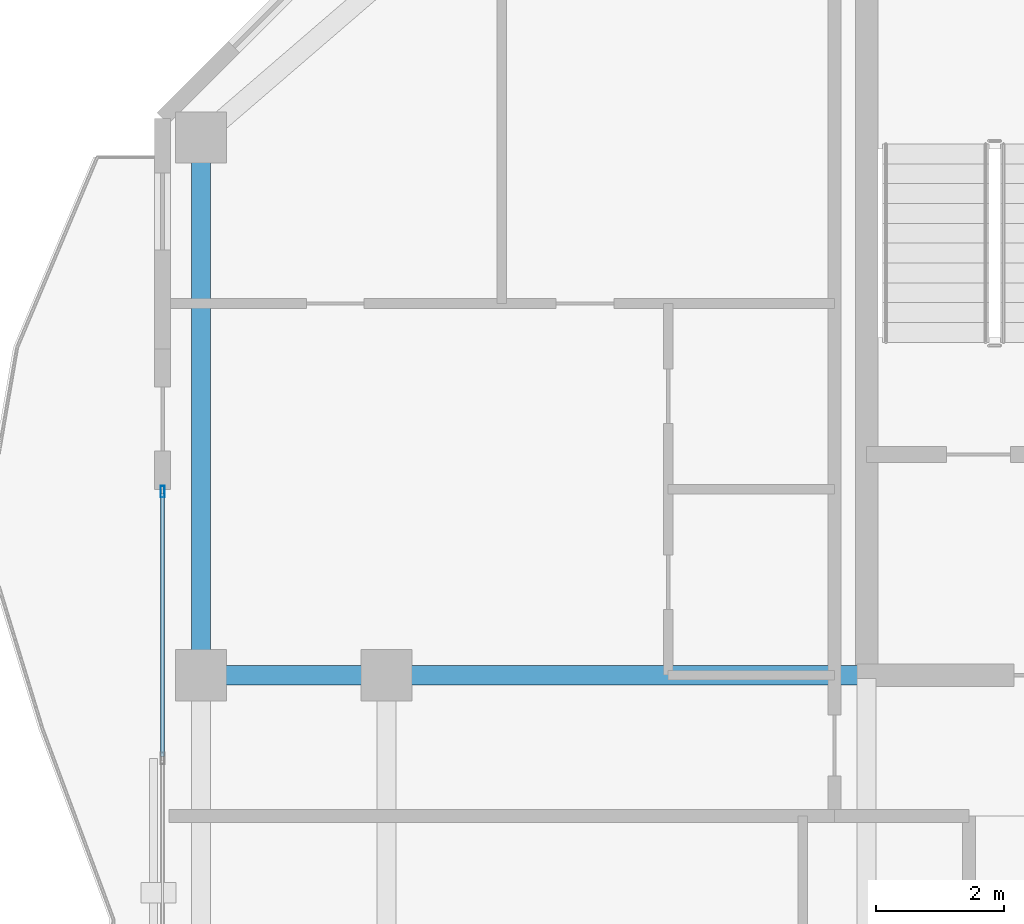
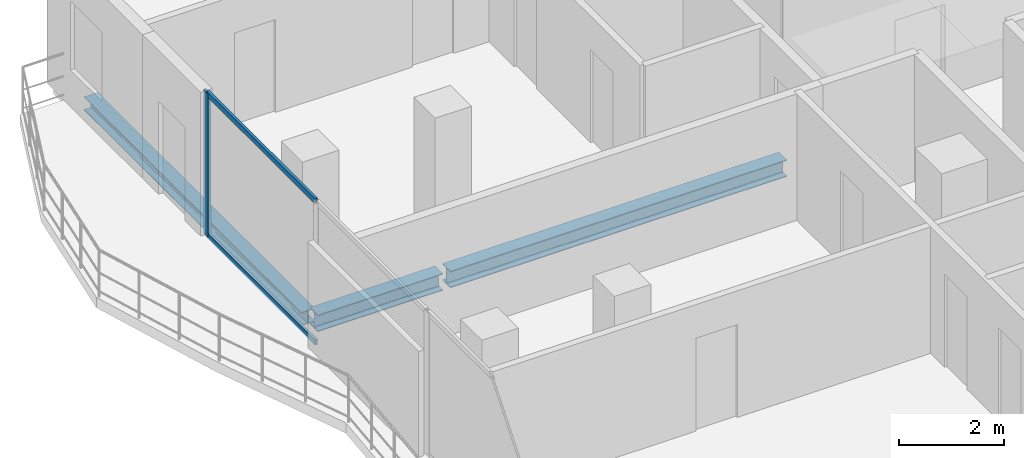
# One storey, part 9 of 24: 3 beams, 3 members, 1 element without a shape of its own.
"""IFC4 building model written with IfcOpenShell, lengths in metres."""

from ifc_helpers import new_model, si_unit, direction, frame, origin, origin_2d, place, context, subcontext, project, spatial, hollow_rectangle, i_section, extrude, material, layer, layer_set, material_profile, profile_set, type_object, element, aggregate, save


model = new_model("IFC4")

# Units and contexts
model_context = context("Model", 3, precision=1e-05, world=origin(), true_north=direction((0.0, 1.0)))
body_context = subcontext(model_context, "Body", "Model", "MODEL_VIEW")
ifc_project = project(units=[si_unit("LENGTHUNIT", "METRE"), si_unit("AREAUNIT", "SQUARE_METRE"), si_unit("VOLUMEUNIT", "CUBIC_METRE"), si_unit("PLANEANGLEUNIT", "RADIAN"), si_unit("MASSUNIT", "GRAM", prefix="KILO")], contexts=[model_context])

# Site, building, storey
site_placement = place(None, origin())
site = spatial("IfcSite", under=ifc_project, at=site_placement, CompositionType="ELEMENT")
building_placement = place(site_placement, origin())
building = spatial("IfcBuilding", under=site, at=building_placement, Name="Catumbela Crestline Tower", CompositionType="ELEMENT")
storey_placement = place(building_placement, frame((0.0, 0.0, 161.4)))
storey = spatial("IfcBuildingStorey", under=building, at=storey_placement, Name="L41", CompositionType="ELEMENT", Elevation=161.4)

# Beams
ifc_material_1 = material(Name="Structural steel S355J2", Category="steel")
ifc_material_profile_1 = material_profile(ifc_material_1, i_section(OverallWidth=0.3, OverallDepth=0.39, WebThickness=0.011, FlangeThickness=0.019, FilletRadius=0.027, at=origin_2d()), Name="HEA 400")
ifc_profile_set_1 = profile_set([ifc_material_profile_1], Name="Structural steel S355J2")
beam_type_1 = type_object("IfcBeamType", Name="BG-HEA400", PredefinedType="BEAM", material=ifc_profile_set_1)
beam_1_placement = place(storey_placement, frame((5.68, 30.8, -0.455), z_axis=(1.0, 0.0, 0.0), x_axis=(0.0, 1.0, 0.0)))
element("IfcBeam", 1, at=beam_1_placement, inside=storey, type_object=beam_type_1, Name="L41 Beam BM-L41-M06", PredefinedType="BEAM", context=body_context, shape_type="SweptSolid", body=[
    extrude(i_section(OverallWidth=0.3, OverallDepth=0.39, WebThickness=0.011, FlangeThickness=0.019, FilletRadius=0.027, at=origin_2d()), origin(), (0.0, 0.0, 1.0), 2.74),
])
beam_2_placement = place(storey_placement, frame((8.58, 30.8, -0.455), z_axis=(1.0, 0.0, 0.0), x_axis=(0.0, 1.0, 0.0)))
element("IfcBeam", 2, at=beam_2_placement, inside=storey, type_object=beam_type_1, Name="L41 Beam BM-L41-M07", PredefinedType="BEAM", context=body_context, shape_type="SweptSolid", body=[
    extrude(i_section(OverallWidth=0.3, OverallDepth=0.39, WebThickness=0.011, FlangeThickness=0.019, FilletRadius=0.027, at=origin_2d()), origin(), (0.0, 0.0, 1.0), 7.37),
])

# Curtain wall, member
ifc_material_2 = material(Name="Aluminium alloy AW-6060-T66", Category="aluminium")
ifc_layer = layer(ifc_material_2, 0.18, Name="Aluminium alloy AW-6060-T66")
ifc_layer_set = layer_set([ifc_layer], Name="Aluminium alloy AW-6060-T66")
curtain_wall_type = type_object("IfcCurtainWallType", Name="CWU-Z3", PredefinedType="USERDEFINED", material=ifc_layer_set)
curtain_wall_placement = place(storey_placement, origin())
curtain_wall = element("IfcCurtainWall", 3, at=curtain_wall_placement, inside=storey, type_object=curtain_wall_type, Name="L41 Unitised Curtain Wall CW-L41-E9S2", ObjectType="UNITISED", PredefinedType="USERDEFINED")
ifc_material_profile_2 = material_profile(ifc_material_2, hollow_rectangle(XDim=0.065, YDim=0.18, WallThickness=0.004, at=origin_2d()), Name="ALU 180x65x4")
ifc_profile_set_2 = profile_set([ifc_material_profile_2], Name="Aluminium alloy AW-6060-T66")
member_type_1 = type_object("IfcMemberType", Name="MUL-180X65", PredefinedType="MULLION", material=ifc_profile_set_2)
member_1_placement = place(storey_placement, frame((5.0, 33.6675, 0.0), z_axis=(0.0, 0.0, 1.0), x_axis=(1.0, 0.0, 0.0)))
member_1 = element("IfcMember", 4, at=member_1_placement, type_object=member_type_1, Name="CWU-Z3 mullion 1", PredefinedType="MULLION", context=body_context, shape_type="SweptSolid", body=[
    extrude(hollow_rectangle(XDim=0.065, YDim=0.18, WallThickness=0.004, at=origin_2d()), origin(), (0.0, 0.0, 1.0), 3.33),
])

# Beam
ifc_material_profile_3 = material_profile(ifc_material_1, i_section(OverallWidth=0.3, OverallDepth=0.31, WebThickness=0.009, FlangeThickness=0.0155, FilletRadius=0.027, at=origin_2d()), Name="HEA 320")
ifc_profile_set_3 = profile_set([ifc_material_profile_3], Name="Structural steel S355J2")
beam_type_2 = type_object("IfcBeamType", Name="BS-HEA320", PredefinedType="SPANDREL", material=ifc_profile_set_3)
beam_3_placement = place(storey_placement, frame((5.6, 30.88, -0.415), z_axis=(0.0, 1.0, 0.0), x_axis=(-1.0, 0.0, 0.0)))
element("IfcBeam", 5, at=beam_3_placement, inside=storey, type_object=beam_type_2, Name="L41 Spandrel SP-L41-SN15", PredefinedType="SPANDREL", context=body_context, shape_type="SweptSolid", body=[
    extrude(i_section(OverallWidth=0.3, OverallDepth=0.31, WebThickness=0.009, FlangeThickness=0.0155, FilletRadius=0.027, at=origin_2d()), origin(), (0.0, 0.0, 1.0), 8.24),
])

# Member
ifc_material_profile_4 = material_profile(ifc_material_2, hollow_rectangle(XDim=0.06, YDim=0.12, WallThickness=0.0035, at=origin_2d()), Name="ALU 120x60x3.5")
ifc_profile_set_4 = profile_set([ifc_material_profile_4], Name="Aluminium alloy AW-6060-T66")
member_type_2 = type_object("IfcMemberType", Name="TRN-120X60", PredefinedType="USERDEFINED", material=ifc_profile_set_4)
member_2_placement = place(storey_placement, frame((5.0, 33.635, 0.03), z_axis=(0.0, -1.0, 0.0), x_axis=(1.0, 0.0, 0.0)))
member_2 = element("IfcMember", 6, at=member_2_placement, type_object=member_type_2, Name="CWU-Z3 transom 1.1", ObjectType="TRANSOM", PredefinedType="USERDEFINED", context=body_context, shape_type="SweptSolid", body=[
    extrude(hollow_rectangle(XDim=0.06, YDim=0.12, WallThickness=0.0035, at=origin_2d()), origin(), (0.0, 0.0, 1.0), 4.1025),
])

member_3_placement = place(storey_placement, frame((5.0, 33.635, 3.3), z_axis=(0.0, -1.0, 0.0), x_axis=(1.0, 0.0, 0.0)))
member_3 = element("IfcMember", 7, at=member_3_placement, type_object=member_type_2, Name="CWU-Z3 transom 1.2", ObjectType="TRANSOM", PredefinedType="USERDEFINED", context=body_context, shape_type="SweptSolid", body=[
    extrude(hollow_rectangle(XDim=0.06, YDim=0.12, WallThickness=0.0035, at=origin_2d()), origin(), (0.0, 0.0, 1.0), 4.1025),
])

aggregate(curtain_wall, [member_1, member_2, member_3])

save(model, "model.ifc")
